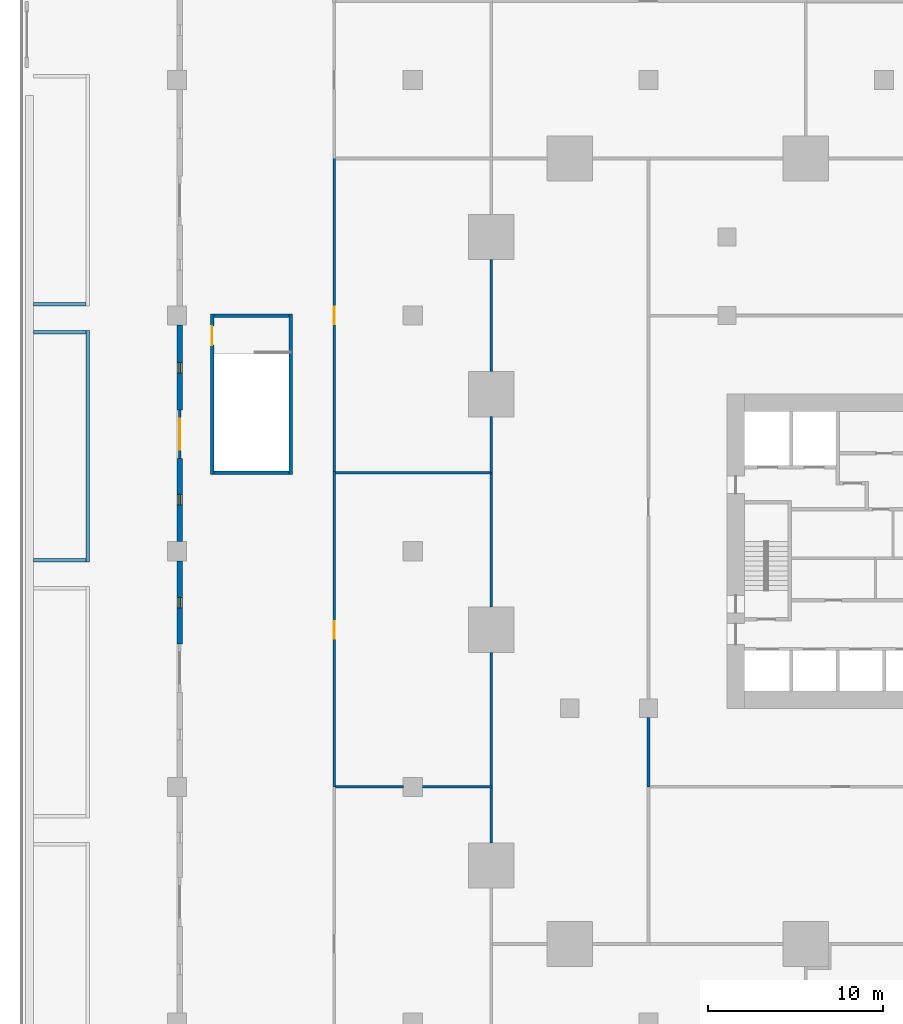
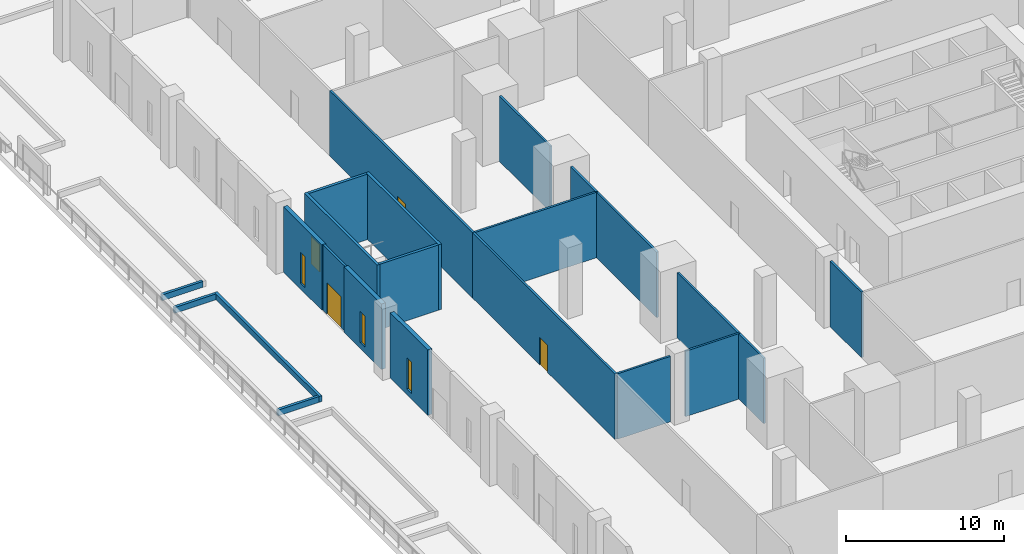
# One storey, part 24 of 47: 23 walls, 4 doors, 3 windows, 7 openings.
"""IFC4 building model written with IfcOpenShell, lengths in metres."""

from ifc_helpers import new_model, si_unit, direction, frame, frame_2d, origin, place, context, subcontext, project, spatial, rectangle, extrude, material, layer, layer_set, type_object, element, fill, save


model = new_model("IFC4")

# Units and contexts
model_context = context("Model", 3, precision=1e-05, world=origin(), true_north=direction((0.0, 1.0)))
body_context = subcontext(model_context, "Body", "Model", "MODEL_VIEW")
ifc_project = project(units=[si_unit("LENGTHUNIT", "METRE"), si_unit("AREAUNIT", "SQUARE_METRE"), si_unit("VOLUMEUNIT", "CUBIC_METRE"), si_unit("PLANEANGLEUNIT", "RADIAN"), si_unit("MASSUNIT", "GRAM", prefix="KILO")], contexts=[model_context])

# Site, building, storey
site_placement = place(None, origin())
site = spatial("IfcSite", under=ifc_project, at=site_placement, CompositionType="ELEMENT")
building_placement = place(site_placement, origin())
building = spatial("IfcBuilding", under=site, at=building_placement, Name="Altepetl Exchange Towers", CompositionType="ELEMENT")
storey_placement = place(building_placement, frame((0.0, 0.0, 6.0)))
storey = spatial("IfcBuildingStorey", under=building, at=storey_placement, Name="L01 Retail podium", CompositionType="ELEMENT", Elevation=6.0)

# Wall, opening, door
ifc_material_1 = material(Name="Aluminium composite cladding", Category="aluminium")
ifc_layer_1 = layer(ifc_material_1, 0.14990234375)
ifc_layer_set_1 = layer_set([ifc_layer_1], Name="Aluminium composite cladding")
wall_type_1 = type_object("IfcWallType", Name="Infill wall 150 aluminium panel", PredefinedType="SOLIDWALL", material=ifc_layer_set_1)
wall_1_placement = place(storey_placement, frame((9.14990234375, 57.60009765625, 0.0), z_axis=(0.0, 0.0, 1.0), x_axis=(0.0, -1.0, 0.0)))
wall_1 = element("IfcWall", 1, at=wall_1_placement, inside=storey, type_object=wall_type_1, Name="Door bay wall", PredefinedType="SOLIDWALL", context=body_context, shape_type="SweptSolid", body=[
    extrude(rectangle(XDim=2.800048828125, YDim=0.14990234375, at=frame_2d((1.39990234375, 0.0))), origin(), (0.0, 0.0, 1.0), 5.050048828125),
])
opening_1_placement = place(wall_1_placement, frame((0.5, 0.0, 0.0)))
opening_1 = element("IfcOpeningElement", 2, at=opening_1_placement, cuts=wall_1, Name="Opening L01.E08", PredefinedType="OPENING", context=body_context, shape_type="SweptSolid", body=[
    extrude(rectangle(XDim=1.800048828125, YDim=2.39990234375, at=frame_2d((0.89990234375, 1.199951171875))), frame((0.0, 0.0849609375, 0.0), z_axis=(0.0, -1.0, 0.0), x_axis=(1.0, 0.0, 0.0)), (0.0, 0.0, 1.0), 0.169921875),
])
ifc_material_2 = material(Name="Aluminium 6063-T6 and glass", Category="aluminium")
door_type_1 = type_object("IfcDoorType", Name="Glazed door pair 1800x2400", OperationType="DOUBLE_DOOR_DOUBLE_SWING", PredefinedType="NOTDEFINED", material=ifc_material_2)
door_1_placement = place(opening_1_placement, frame((1.800048828125, 0.0, 0.0), x_axis=(-1.0, 0.0, 0.0)))
door_1 = element("IfcDoor", 3, at=door_1_placement, inside=storey, type_object=door_type_1, Name="Terrace door", OperationType="DOUBLE_DOOR_DOUBLE_SWING", OverallHeight=2.39990234375, OverallWidth=1.800048828125, PredefinedType="NOTDEFINED", context=body_context, shape_type="SweptSolid", body=[
    extrude(rectangle(XDim=1.800048828125, YDim=2.39990234375, at=frame_2d((0.89990234375, 1.199951171875))), frame((0.0, 0.02490234375, 0.0), z_axis=(0.0, -1.0, 0.0), x_axis=(1.0, 0.0, 0.0)), (0.0, 0.0, 1.0), 0.050048828125),
])
fill(opening_1, door_1)

# Walls
ifc_material_3 = material(Name="Reinforced concrete C35/45", Category="concrete")
ifc_layer_2 = layer(ifc_material_3, 0.199951171875)
ifc_layer_set_2 = layer_set([ifc_layer_2], Name="Reinforced concrete C35/45")
wall_type_2 = type_object("IfcWallType", Name="Planting bed curb 200", PredefinedType="SOLIDWALL", material=ifc_layer_set_2)
wall_2_placement = place(storey_placement, frame((3.875, 48.8798828125, 0.0), z_axis=(0.0, 0.0, 1.0), x_axis=(0.0, 1.0, 0.0)))
element("IfcWall", 4, at=wall_2_placement, inside=storey, type_object=wall_type_2, Name="wall:P:L01:CB25e", PredefinedType="SOLIDWALL", context=body_context, shape_type="SweptSolid", body=[
    extrude(rectangle(XDim=13.260009765625, YDim=0.199951171875, at=frame_2d((6.6298828125, 0.0))), origin(), (0.0, 0.0, 1.0), 0.449951171875),
])
for number, where, name in (
    (5, (0.77490234375, 62.0400390625, 0.0), "wall:P:L01:CB25n"),
    (6, (0.77490234375, 48.97998046875, 0.0), "wall:P:L01:CB25s"),
    (7, (0.77490234375, 63.639892578125, 0.0), "wall:P:L01:CB26s"),
):
    element("IfcWall", number, at=place(storey_placement, frame(where)), inside=storey, type_object=wall_type_2, Name=name, PredefinedType="SOLIDWALL", context=body_context, shape_type="SweptSolid", body=[
        extrude(rectangle(XDim=3.0, YDim=0.199951171875, at=frame_2d((1.5, 0.0))), origin(), (0.0, 0.0, 1.0), 0.449951171875),
    ])

# Wall, opening, door
ifc_material_4 = material(Name="Gypsum board on steel studs", Category="steel")
ifc_layer_3 = layer(ifc_material_4, 0.14990234375)
ifc_layer_set_3 = layer_set([ifc_layer_3], Name="Gypsum board on steel studs")
wall_type_3 = type_object("IfcWallType", Name="Podium partition 150", PredefinedType="PARTITIONING", material=ifc_layer_set_3)
wall_3_placement = place(storey_placement, frame((18.0, 36.0, 0.0), z_axis=(0.0, 0.0, 1.0), x_axis=(0.0, 1.0, 0.0)))
wall_3 = element("IfcWall", 8, at=wall_3_placement, inside=storey, type_object=wall_type_3, Name="wall:P:L01:P038", PredefinedType="PARTITIONING", context=body_context, shape_type="SweptSolid", body=[
    extrude(rectangle(XDim=18.074951171875, YDim=0.14990234375, at=frame_2d((9.03759765625, 0.0))), origin(), (0.0, 0.0, 1.0), 5.050048828125),
])
opening_2_placement = place(wall_3_placement, frame((8.5, 0.0, 0.0)))
opening_2 = element("IfcOpeningElement", 9, at=opening_2_placement, cuts=wall_3, Name="Opening L01.P002", PredefinedType="OPENING", context=body_context, shape_type="SweptSolid", body=[
    extrude(rectangle(XDim=1.0, YDim=2.10009765625, at=frame_2d((0.5, 1.050048828125))), frame((0.0, 0.0849609375, 0.0), z_axis=(0.0, -1.0, 0.0), x_axis=(1.0, 0.0, 0.0)), (0.0, 0.0, 1.0), 0.169921875),
])
ifc_material_5 = material(Name="Steel and timber fire door", Category="steel")
door_type_2 = type_object("IfcDoorType", Name="Podium fire door 1000 x 2100 single leaf", OperationType="SINGLE_SWING_LEFT", PredefinedType="DOOR", material=ifc_material_5)
door_2_placement = place(opening_2_placement, frame((1.0, 0.0, 0.0), x_axis=(-1.0, 0.0, 0.0)))
door_2 = element("IfcDoor", 10, at=door_2_placement, inside=storey, type_object=door_type_2, Name="door:P:L01:002", OperationType="SINGLE_SWING_LEFT", OverallHeight=2.10009765625, OverallWidth=1.0, PredefinedType="DOOR", context=body_context, shape_type="SweptSolid", body=[
    extrude(rectangle(XDim=1.0, YDim=2.10009765625, at=frame_2d((0.5, 1.050048828125))), frame((0.0, 0.02490234375, 0.0), z_axis=(0.0, -1.0, 0.0), x_axis=(1.0, 0.0, 0.0)), (0.0, 0.0, 1.0), 0.050048828125),
])
fill(opening_2, door_2)

wall_4_placement = place(storey_placement, frame((18.0, 54.0, 0.0), z_axis=(0.0, 0.0, 1.0), x_axis=(0.0, 1.0, 0.0)))
wall_4 = element("IfcWall", 11, at=wall_4_placement, inside=storey, type_object=wall_type_3, Name="wall:P:L01:P039", PredefinedType="PARTITIONING", context=body_context, shape_type="SweptSolid", body=[
    extrude(rectangle(XDim=18.074951171875, YDim=0.14990234375, at=frame_2d((9.03759765625, 0.0))), origin(), (0.0, 0.0, 1.0), 5.050048828125),
])
opening_3_placement = place(wall_4_placement, frame((8.5, 0.0, 0.0)))
opening_3 = element("IfcOpeningElement", 12, at=opening_3_placement, cuts=wall_4, Name="Opening L01.P003", PredefinedType="OPENING", context=body_context, shape_type="SweptSolid", body=[
    extrude(rectangle(XDim=1.0, YDim=2.10009765625, at=frame_2d((0.5, 1.050048828125))), frame((0.0, 0.0849609375, 0.0), z_axis=(0.0, -1.0, 0.0), x_axis=(1.0, 0.0, 0.0)), (0.0, 0.0, 1.0), 0.169921875),
])
door_3_placement = place(opening_3_placement, frame((1.0, 0.0, 0.0), x_axis=(-1.0, 0.0, 0.0)))
door_3 = element("IfcDoor", 13, at=door_3_placement, inside=storey, type_object=door_type_2, Name="door:P:L01:003", OperationType="SINGLE_SWING_RIGHT", OverallHeight=2.10009765625, OverallWidth=1.0, PredefinedType="DOOR", context=body_context, shape_type="SweptSolid", body=[
    extrude(rectangle(XDim=1.0, YDim=2.10009765625, at=frame_2d((0.5, 1.050048828125))), frame((0.0, 0.02490234375, 0.0), z_axis=(0.0, -1.0, 0.0), x_axis=(1.0, 0.0, 0.0)), (0.0, 0.0, 1.0), 0.050048828125),
])
fill(opening_3, door_3)

# Walls
wall_5_placement = place(storey_placement, frame((18.074951171875, 36.0, 0.0)))
element("IfcWall", 14, at=wall_5_placement, inside=storey, type_object=wall_type_3, Name="wall:P:L01:P067", PredefinedType="PARTITIONING", context=body_context, shape_type="SweptSolid", body=[
    extrude(rectangle(XDim=3.880126953125, YDim=0.14990234375, at=frame_2d((1.93994140625, 0.0))), origin(), (0.0, 0.0, 1.0), 5.050048828125),
])
wall_6_placement = place(storey_placement, frame((23.044921875, 36.0, 0.0)))
element("IfcWall", 15, at=wall_6_placement, inside=storey, type_object=wall_type_3, Name="wall:P:L01:P068", PredefinedType="PARTITIONING", context=body_context, shape_type="SweptSolid", body=[
    extrude(rectangle(XDim=4.030029296875, YDim=0.14990234375, at=frame_2d((2.01513671875, 0.0))), origin(), (0.0, 0.0, 1.0), 5.050048828125),
])
wall_7_placement = place(storey_placement, frame((27.0, 32.794921875, 0.0), z_axis=(0.0, 0.0, 1.0), x_axis=(0.0, 1.0, 0.0)))
element("IfcWall", 16, at=wall_7_placement, inside=storey, type_object=wall_type_3, Name="wall:P:L01:P071", PredefinedType="PARTITIONING", context=body_context, shape_type="SweptSolid", body=[
    extrude(rectangle(XDim=3.130126953125, YDim=0.14990234375, at=frame_2d((1.56494140625, 0.0))), origin(), (0.0, 0.0, 1.0), 5.050048828125),
])
wall_8_placement = place(storey_placement, frame((18.074951171875, 54.0, 0.0)))
element("IfcWall", 17, at=wall_8_placement, inside=storey, type_object=wall_type_3, Name="wall:P:L01:P072", PredefinedType="PARTITIONING", context=body_context, shape_type="SweptSolid", body=[
    extrude(rectangle(XDim=9.0, YDim=0.14990234375, at=frame_2d((4.5, 0.0))), origin(), (0.0, 0.0, 1.0), 5.050048828125),
])
wall_9_placement = place(storey_placement, frame((27.0, 36.0, 0.0), z_axis=(0.0, 0.0, 1.0), x_axis=(0.0, 1.0, 0.0)))
element("IfcWall", 18, at=wall_9_placement, inside=storey, type_object=wall_type_3, Name="wall:P:L01:P073", PredefinedType="PARTITIONING", context=body_context, shape_type="SweptSolid", body=[
    extrude(rectangle(XDim=7.705078125, YDim=0.14990234375, at=frame_2d((3.8525390625, 0.0))), origin(), (0.0, 0.0, 1.0), 5.050048828125),
])
wall_10_placement = place(storey_placement, frame((27.0, 46.294921875, 0.0), z_axis=(0.0, 0.0, 1.0), x_axis=(0.0, 1.0, 0.0)))
element("IfcWall", 19, at=wall_10_placement, inside=storey, type_object=wall_type_3, Name="wall:P:L01:P074", PredefinedType="PARTITIONING", context=body_context, shape_type="SweptSolid", body=[
    extrude(rectangle(XDim=7.630126953125, YDim=0.14990234375, at=frame_2d((3.81494140625, 0.0))), origin(), (0.0, 0.0, 1.0), 5.050048828125),
])
wall_11_placement = place(storey_placement, frame((27.0, 54.0, 0.0), z_axis=(0.0, 0.0, 1.0), x_axis=(0.0, 1.0, 0.0)))
element("IfcWall", 20, at=wall_11_placement, inside=storey, type_object=wall_type_3, Name="wall:P:L01:P076", PredefinedType="PARTITIONING", context=body_context, shape_type="SweptSolid", body=[
    extrude(rectangle(XDim=3.205078125, YDim=0.14990234375, at=frame_2d((1.6025390625, 0.0))), origin(), (0.0, 0.0, 1.0), 5.050048828125),
])
wall_12_placement = place(storey_placement, frame((27.0, 59.794921875, 0.0), z_axis=(0.0, 0.0, 1.0), x_axis=(0.0, 1.0, 0.0)))
element("IfcWall", 21, at=wall_12_placement, inside=storey, type_object=wall_type_3, Name="wall:P:L01:P077", PredefinedType="PARTITIONING", context=body_context, shape_type="SweptSolid", body=[
    extrude(rectangle(XDim=6.41015625, YDim=0.14990234375, at=frame_2d((3.205078125, 0.0))), origin(), (0.0, 0.0, 1.0), 5.050048828125),
])
wall_13_placement = place(storey_placement, frame((36.0, 36.0, 0.0), z_axis=(0.0, 0.0, 1.0), x_axis=(0.0, 1.0, 0.0)))
element("IfcWall", 22, at=wall_13_placement, inside=storey, type_object=wall_type_3, Name="wall:P:L01:P117", PredefinedType="PARTITIONING", context=body_context, shape_type="SweptSolid", body=[
    extrude(rectangle(XDim=3.97998046875, YDim=0.14990234375, at=frame_2d((1.989990234375, 0.0))), origin(), (0.0, 0.0, 1.0), 5.050048828125),
])

# Wall, opening, door
ifc_layer_4 = layer(ifc_material_3, 0.199951171875)
ifc_layer_set_4 = layer_set([ifc_layer_4], Name="Reinforced concrete C35/45")
wall_type_4 = type_object("IfcWallType", Name="Stair enclosure wall 200", PredefinedType="SOLIDWALL", material=ifc_layer_set_4)
wall_14_placement = place(storey_placement, frame((11.0, 53.89990234375, 0.0), z_axis=(0.0, 0.0, 1.0), x_axis=(0.0, 1.0, 0.0)))
wall_14 = element("IfcWall", 23, at=wall_14_placement, inside=storey, type_object=wall_type_4, Name="wall:P:L01:P041", PredefinedType="SOLIDWALL", context=body_context, shape_type="SweptSolid", body=[
    extrude(rectangle(XDim=9.2001953125, YDim=0.199951171875, at=frame_2d((4.60009765625, 0.0))), origin(), (0.0, 0.0, 1.0), 5.050048828125),
])
opening_4_placement = place(wall_14_placement, frame((7.39990234375, 0.0, 0.0)))
opening_4 = element("IfcOpeningElement", 24, at=opening_4_placement, cuts=wall_14, Name="Opening L01.P025", PredefinedType="OPENING", context=body_context, shape_type="SweptSolid", body=[
    extrude(rectangle(XDim=1.10009765625, YDim=2.10009765625, at=frame_2d((0.550048828125, 1.050048828125))), frame((0.0, 0.10986328125, 0.0), z_axis=(0.0, -1.0, 0.0), x_axis=(1.0, 0.0, 0.0)), (0.0, 0.0, 1.0), 0.219970703125),
])
ifc_material_6 = material(Name="Steel fire door", Category="steel")
door_type_3 = type_object("IfcDoorType", Name="Podium fire door 1100 x 2100 single leaf", OperationType="SINGLE_SWING_LEFT", PredefinedType="DOOR", material=ifc_material_6)
door_4_placement = place(opening_4_placement, frame((1.10009765625, 0.0, 0.0), x_axis=(-1.0, 0.0, 0.0)))
door_4 = element("IfcDoor", 25, at=door_4_placement, inside=storey, type_object=door_type_3, Name="door:P:L01:025", OperationType="SINGLE_SWING_RIGHT", OverallHeight=2.10009765625, OverallWidth=1.10009765625, PredefinedType="DOOR", context=body_context, shape_type="SweptSolid", body=[
    extrude(rectangle(XDim=1.10009765625, YDim=2.10009765625, at=frame_2d((0.550048828125, 1.050048828125))), frame((0.0, 0.02490234375, 0.0), z_axis=(0.0, -1.0, 0.0), x_axis=(1.0, 0.0, 0.0)), (0.0, 0.0, 1.0), 0.050048828125),
])
fill(opening_4, door_4)

# Walls
wall_15_placement = place(storey_placement, frame((15.5, 53.89990234375, 0.0), z_axis=(0.0, 0.0, 1.0), x_axis=(0.0, 1.0, 0.0)))
element("IfcWall", 26, at=wall_15_placement, inside=storey, type_object=wall_type_4, Name="wall:P:L01:P042", PredefinedType="SOLIDWALL", context=body_context, shape_type="SweptSolid", body=[
    extrude(rectangle(XDim=9.2001953125, YDim=0.199951171875, at=frame_2d((4.60009765625, 0.0))), origin(), (0.0, 0.0, 1.0), 5.050048828125),
])
for number, where, name in (
    (27, (11.10009765625, 54.0, 0.0), "wall:P:L01:P043"),
    (28, (11.10009765625, 63.0, 0.0), "wall:P:L01:P044"),
):
    element("IfcWall", number, at=place(storey_placement, frame(where)), inside=storey, type_object=wall_type_4, Name=name, PredefinedType="SOLIDWALL", context=body_context, shape_type="SweptSolid", body=[
        extrude(rectangle(XDim=4.2998046875, YDim=0.199951171875, at=frame_2d((2.14990234375, 0.0))), origin(), (0.0, 0.0, 1.0), 5.050048828125),
    ])

# Wall, opening, window
ifc_material_7 = material(Name="Cantera limestone cladding", Category="masonry")
ifc_layer_5 = layer(ifc_material_7, 0.300048828125)
ifc_layer_set_5 = layer_set([ifc_layer_5], Name="Cantera limestone cladding")
wall_type_5 = type_object("IfcWallType", Name="Stone wall panel 300", PredefinedType="ELEMENTEDWALL", material=ifc_layer_set_5)
wall_16_placement = place(storey_placement, frame((9.14990234375, 62.449951171875, 0.0), z_axis=(0.0, 0.0, 1.0), x_axis=(0.0, -1.0, 0.0)))
wall_16 = element("IfcWall", 29, at=wall_16_placement, inside=storey, type_object=wall_type_5, Name="Stone wall panel", PredefinedType="ELEMENTEDWALL", context=body_context, shape_type="SweptSolid", body=[
    extrude(rectangle(XDim=4.849853515625, YDim=0.300048828125, at=frame_2d((2.4248046875, 0.0))), origin(), (0.0, 0.0, 1.0), 5.050048828125),
])
opening_5_placement = place(wall_16_placement, frame((2.14990234375, 0.0, 0.449951171875)))
opening_5 = element("IfcOpeningElement", 30, at=opening_5_placement, cuts=wall_16, Name="Opening W3", PredefinedType="OPENING", context=body_context, shape_type="SweptSolid", body=[
    extrude(rectangle(XDim=0.60009765625, YDim=2.39990234375, at=frame_2d((0.300048828125, 1.199951171875))), frame((0.0, 0.16015625, 0.0), z_axis=(0.0, -1.0, 0.0), x_axis=(1.0, 0.0, 0.0)), (0.0, 0.0, 1.0), 0.320068359375),
])
window_type = type_object("IfcWindowType", Name="Tall slot window 600x2400", PartitioningType="SINGLE_PANEL", PredefinedType="WINDOW", material=ifc_material_2)
window_1_placement = place(opening_5_placement, origin())
window_1 = element("IfcWindow", 31, at=window_1_placement, inside=storey, type_object=window_type, Name="Window", OverallHeight=2.39990234375, OverallWidth=0.60009765625, PartitioningType="SINGLE_PANEL", PredefinedType="WINDOW", context=body_context, shape_type="SweptSolid", body=[
    extrude(rectangle(XDim=0.60009765625, YDim=2.39990234375, at=frame_2d((0.300048828125, 1.199951171875))), frame((0.0, 0.030029296875, 0.0), z_axis=(0.0, -1.0, 0.0), x_axis=(1.0, 0.0, 0.0)), (0.0, 0.0, 1.0), 0.06005859375),
])
fill(opening_5, window_1)

wall_17_placement = place(storey_placement, frame((9.14990234375, 54.800048828125, 0.0), z_axis=(0.0, 0.0, 1.0), x_axis=(0.0, -1.0, 0.0)))
wall_17 = element("IfcWall", 32, at=wall_17_placement, inside=storey, type_object=wall_type_5, Name="Stone wall panel", PredefinedType="ELEMENTEDWALL", context=body_context, shape_type="SweptSolid", body=[
    extrude(rectangle(XDim=4.75, YDim=0.300048828125, at=frame_2d((2.375, 0.0))), origin(), (0.0, 0.0, 1.0), 5.050048828125),
])
opening_6_placement = place(wall_17_placement, frame((2.050048828125, 0.0, 0.449951171875)))
opening_6 = element("IfcOpeningElement", 33, at=opening_6_placement, cuts=wall_17, Name="Opening W3", PredefinedType="OPENING", context=body_context, shape_type="SweptSolid", body=[
    extrude(rectangle(XDim=0.60009765625, YDim=2.39990234375, at=frame_2d((0.300048828125, 1.199951171875))), frame((0.0, 0.16015625, 0.0), z_axis=(0.0, -1.0, 0.0), x_axis=(1.0, 0.0, 0.0)), (0.0, 0.0, 1.0), 0.320068359375),
])
window_2_placement = place(opening_6_placement, origin())
window_2 = element("IfcWindow", 34, at=window_2_placement, inside=storey, type_object=window_type, Name="Window", OverallHeight=2.39990234375, OverallWidth=0.60009765625, PartitioningType="SINGLE_PANEL", PredefinedType="WINDOW", context=body_context, shape_type="SweptSolid", body=[
    extrude(rectangle(XDim=0.60009765625, YDim=2.39990234375, at=frame_2d((0.300048828125, 1.199951171875))), frame((0.0, 0.030029296875, 0.0), z_axis=(0.0, -1.0, 0.0), x_axis=(1.0, 0.0, 0.0)), (0.0, 0.0, 1.0), 0.06005859375),
])
fill(opening_6, window_2)

wall_18_placement = place(storey_placement, frame((9.14990234375, 48.949951171875, 0.0), z_axis=(0.0, 0.0, 1.0), x_axis=(0.0, -1.0, 0.0)))
wall_18 = element("IfcWall", 35, at=wall_18_placement, inside=storey, type_object=wall_type_5, Name="Stone wall panel", PredefinedType="ELEMENTEDWALL", context=body_context, shape_type="SweptSolid", body=[
    extrude(rectangle(XDim=4.75, YDim=0.300048828125, at=frame_2d((2.375, 0.0))), origin(), (0.0, 0.0, 1.0), 5.050048828125),
])
opening_7_placement = place(wall_18_placement, frame((2.10009765625, 0.0, 0.449951171875)))
opening_7 = element("IfcOpeningElement", 36, at=opening_7_placement, cuts=wall_18, Name="Opening W3", PredefinedType="OPENING", context=body_context, shape_type="SweptSolid", body=[
    extrude(rectangle(XDim=0.60009765625, YDim=2.39990234375, at=frame_2d((0.300048828125, 1.199951171875))), frame((0.0, 0.16015625, 0.0), z_axis=(0.0, -1.0, 0.0), x_axis=(1.0, 0.0, 0.0)), (0.0, 0.0, 1.0), 0.320068359375),
])
window_3_placement = place(opening_7_placement, origin())
window_3 = element("IfcWindow", 37, at=window_3_placement, inside=storey, type_object=window_type, Name="Window", OverallHeight=2.39990234375, OverallWidth=0.60009765625, PartitioningType="SINGLE_PANEL", PredefinedType="WINDOW", context=body_context, shape_type="SweptSolid", body=[
    extrude(rectangle(XDim=0.60009765625, YDim=2.39990234375, at=frame_2d((0.300048828125, 1.199951171875))), frame((0.0, 0.030029296875, 0.0), z_axis=(0.0, -1.0, 0.0), x_axis=(1.0, 0.0, 0.0)), (0.0, 0.0, 1.0), 0.06005859375),
])
fill(opening_7, window_3)

save(model, "model.ifc")
